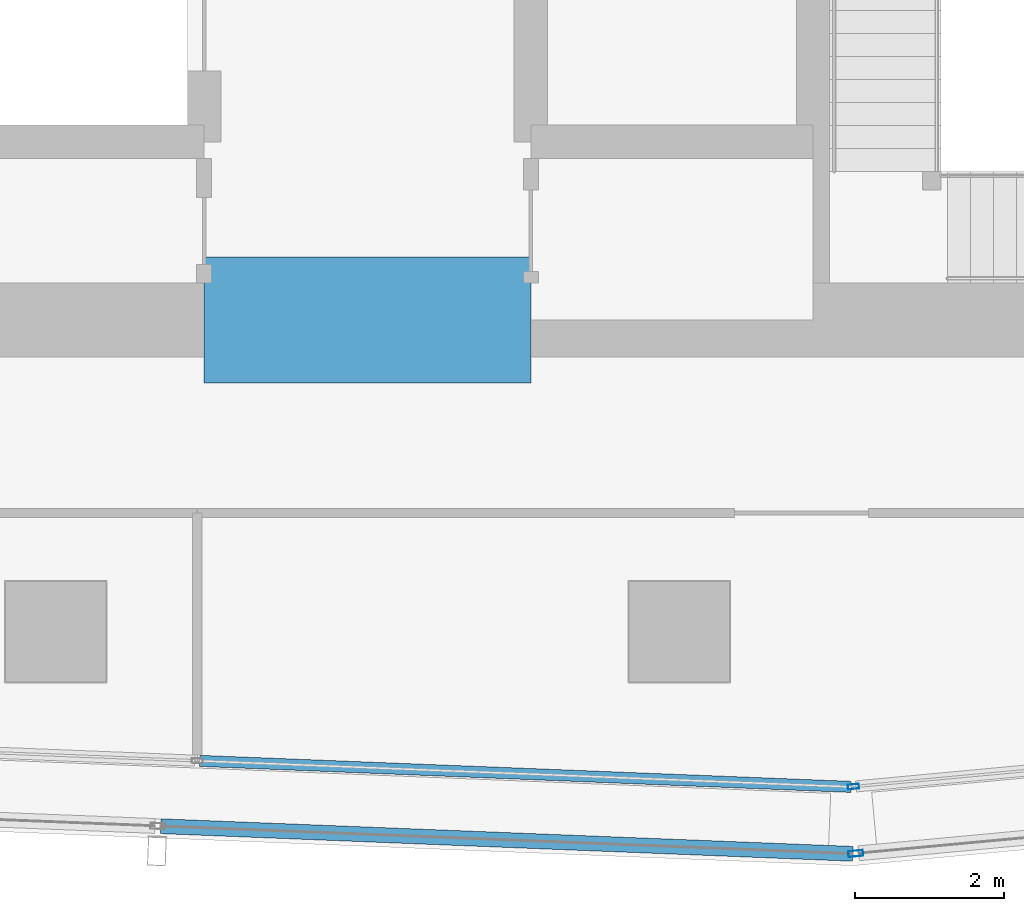
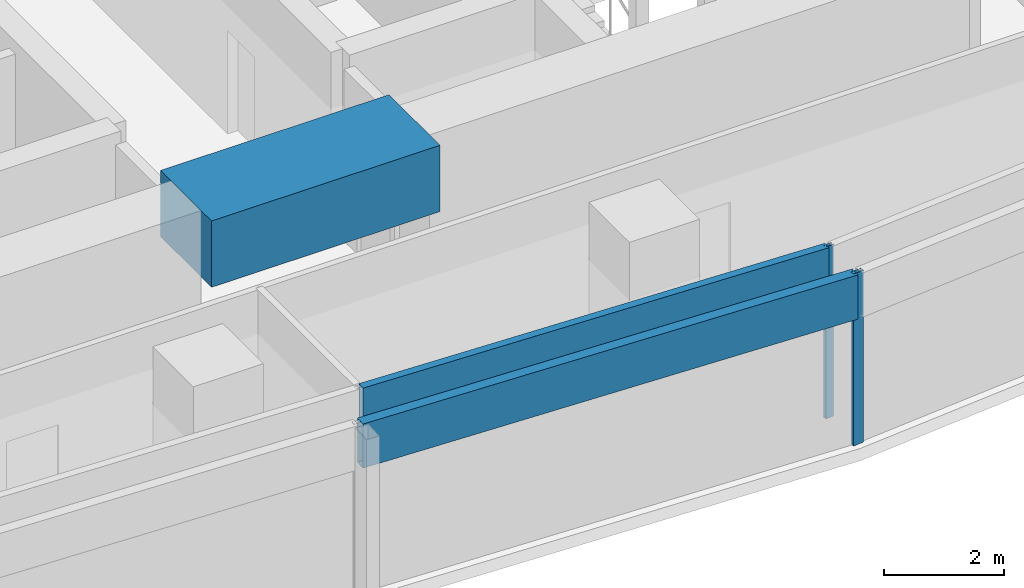
# One storey, part 10 of 39: 4 members, 1 beam, 4 elements without a shape of their own.
"""IFC4 building model written with IfcOpenShell, lengths in metres."""

from ifc_helpers import new_model, si_unit, direction, frame, origin, origin_2d, place, context, subcontext, project, spatial, rectangle, hollow_rectangle, extrude, material, material_profile, profile_set, type_object, element, aggregate, save


model = new_model("IFC4")

# Units and contexts
model_context = context("Model", 3, precision=1e-05, world=origin(), true_north=direction((0.0, 1.0)))
body_context = subcontext(model_context, "Body", "Model", "MODEL_VIEW")
ifc_project = project(units=[si_unit("LENGTHUNIT", "METRE"), si_unit("AREAUNIT", "SQUARE_METRE"), si_unit("VOLUMEUNIT", "CUBIC_METRE"), si_unit("PLANEANGLEUNIT", "RADIAN"), si_unit("MASSUNIT", "GRAM", prefix="KILO")], contexts=[model_context])

# Site, building, storey
site_placement = place(None, origin())
site = spatial("IfcSite", under=ifc_project, at=site_placement, CompositionType="ELEMENT")
building_placement = place(site_placement, origin())
building = spatial("IfcBuilding", under=site, at=building_placement, Name="Rekha Terrace Tower", CompositionType="ELEMENT")
storey_placement = place(building_placement, frame((0.0, 0.0, 225.199951171875)))
storey = spatial("IfcBuildingStorey", under=building, at=storey_placement, Name="L57", CompositionType="ELEMENT", Elevation=225.199951171875)

# Curtain wall, member
ifc_material_1 = material(Name="Aluminium framing", Category="aluminium")
curtain_wall_type_1 = type_object("IfcCurtainWallType", Name="CW1 double skin inner glazing", PredefinedType="USERDEFINED", material=ifc_material_1)
curtain_wall_1_placement = place(storey_placement, origin())
curtain_wall_1 = element("IfcCurtainWall", 1, at=curtain_wall_1_placement, inside=storey, type_object=curtain_wall_type_1, Name="CW1 double skin inner glazing", ObjectType="DOUBLE SKIN INNER GLAZING", PredefinedType="USERDEFINED")
ifc_material_2 = material(Name="Aluminium mullion section", Category="aluminium")
ifc_material_profile_1 = material_profile(ifc_material_2, hollow_rectangle(XDim=0.06494140625, YDim=0.14990234375, WallThickness=0.00390625, at=origin_2d()), Name="AL RHS 65x150")
ifc_profile_set_1 = profile_set([ifc_material_profile_1], Name="Aluminium mullion section")
member_type_1 = type_object("IfcMemberType", Name="CW1 mullion RHS 65 x 150", PredefinedType="MULLION", material=ifc_profile_set_1)
member_1_placement = place(storey_placement, frame((44.34423828125, 14.715087890625, 0.0), z_axis=(0.0, 0.0, 1.0), x_axis=(-0.092708869564, 0.995693258742, 0.0)))
member_1 = element("IfcMember", 2, at=member_1_placement, type_object=member_type_1, Name="CW1 mullion 1", PredefinedType="MULLION", context=body_context, shape_type="SweptSolid", body=[
    extrude(hollow_rectangle(XDim=0.06494140625, YDim=0.14990234375, WallThickness=0.00390625, at=origin_2d()), origin(), (0.0, 0.0, 1.0), 3.5),
])
aggregate(curtain_wall_1, [member_1])

curtain_wall_2_placement = place(storey_placement, origin())
curtain_wall_2 = element("IfcCurtainWall", 3, at=curtain_wall_2_placement, inside=storey, type_object=curtain_wall_type_1, Name="CW1 double skin inner glazing", ObjectType="DOUBLE SKIN INNER GLAZING", PredefinedType="USERDEFINED")
ifc_material_3 = material(Name="Insulated aluminium spandrel box", Category="aluminium")
ifc_material_profile_2 = material_profile(ifc_material_3, hollow_rectangle(XDim=0.14990234375, YDim=0.89990234375, WallThickness=0.0029296875, at=origin_2d()), Name="AL SPANDREL BOX 150x900")
ifc_profile_set_2 = profile_set([ifc_material_profile_2], Name="Insulated aluminium spandrel box")
member_type_2 = type_object("IfcMemberType", Name="CW1 spandrel transom 150 x 900", PredefinedType="USERDEFINED", material=ifc_profile_set_2)
member_2_placement = place(storey_placement, frame((35.5400390625, 15.06201171875, 3.050048828125), z_axis=(0.999204464505, -0.039880297311, 0.0), x_axis=(0.039880297311, 0.999204464505, 0.0)))
member_2 = element("IfcMember", 4, at=member_2_placement, type_object=member_type_2, Name="CW1 spandrel transom 4", ObjectType="TRANSOM", PredefinedType="USERDEFINED", context=body_context, shape_type="SweptSolid", body=[
    extrude(hollow_rectangle(XDim=0.14990234375, YDim=0.89990234375, WallThickness=0.0029296875, at=origin_2d()), origin(), (0.0, 0.0, 1.0), 8.77880859375),
])
aggregate(curtain_wall_2, [member_2])

curtain_wall_type_2 = type_object("IfcCurtainWallType", Name="CW2 double skin outer glazing", PredefinedType="USERDEFINED", material=ifc_material_1)
curtain_wall_3_placement = place(storey_placement, origin())
curtain_wall_3 = element("IfcCurtainWall", 5, at=curtain_wall_3_placement, inside=storey, type_object=curtain_wall_type_2, Name="CW2 double skin outer glazing", ObjectType="DOUBLE SKIN OUTER GLAZING", PredefinedType="USERDEFINED")
ifc_material_profile_3 = material_profile(ifc_material_2, hollow_rectangle(XDim=0.080078125, YDim=0.199951171875, WallThickness=0.00390625, at=origin_2d()), Name="AL RHS 80x200")
ifc_profile_set_3 = profile_set([ifc_material_profile_3], Name="Aluminium mullion section")
member_type_3 = type_object("IfcMemberType", Name="CW2 mullion RHS 80 x 200", PredefinedType="MULLION", material=ifc_profile_set_3)
member_3_placement = place(storey_placement, frame((44.37548828125, 13.81396484375, 0.0), z_axis=(0.0, 0.0, 1.0), x_axis=(-0.092708869512, 0.995693258747, 0.0)))
member_3 = element("IfcMember", 6, at=member_3_placement, type_object=member_type_3, Name="CW2 mullion 1", PredefinedType="MULLION", context=body_context, shape_type="SweptSolid", body=[
    extrude(hollow_rectangle(XDim=0.080078125, YDim=0.199951171875, WallThickness=0.00390625, at=origin_2d()), origin(), (0.0, 0.0, 1.0), 3.5),
])
aggregate(curtain_wall_3, [member_3])

curtain_wall_4_placement = place(storey_placement, origin())
curtain_wall_4 = element("IfcCurtainWall", 7, at=curtain_wall_4_placement, inside=storey, type_object=curtain_wall_type_2, Name="CW2 double skin outer glazing", ObjectType="DOUBLE SKIN OUTER GLAZING", PredefinedType="USERDEFINED")
ifc_material_profile_4 = material_profile(ifc_material_3, hollow_rectangle(XDim=0.199951171875, YDim=0.89990234375, WallThickness=0.0029296875, at=origin_2d()), Name="AL SPANDREL BOX 200x900")
ifc_profile_set_4 = profile_set([ifc_material_profile_4], Name="Insulated aluminium spandrel box")
member_type_4 = type_object("IfcMemberType", Name="CW2 spandrel transom 200 x 900", PredefinedType="USERDEFINED", material=ifc_profile_set_4)
member_4_placement = place(storey_placement, frame((35.01708984375, 14.18212890625, 3.050048828125), z_axis=(0.999204884837, -0.039869764458, 0.0), x_axis=(0.039869764458, 0.999204884837, 0.0)))
member_4 = element("IfcMember", 8, at=member_4_placement, type_object=member_type_4, Name="CW2 spandrel transom 4", ObjectType="TRANSOM", PredefinedType="USERDEFINED", context=body_context, shape_type="SweptSolid", body=[
    extrude(hollow_rectangle(XDim=0.199951171875, YDim=0.89990234375, WallThickness=0.0029296875, at=origin_2d()), origin(), (0.0, 0.0, 1.0), 9.325927734375),
])
aggregate(curtain_wall_4, [member_4])

# Beam
ifc_material_4 = material(Name="Concrete M60", Category="concrete")
ifc_material_profile_5 = material_profile(ifc_material_4, rectangle(XDim=1.699951171875, YDim=1.35009765625, at=origin_2d()), Name="RC 1700x1350")
ifc_profile_set_5 = profile_set([ifc_material_profile_5], Name="Concrete M60")
beam_type = type_object("IfcBeamType", Name="LB3A 1700x1350 diagonally reinforced coupling beam", PredefinedType="LINTEL", material=ifc_profile_set_5)
beam_placement = place(storey_placement, frame((35.60009765625, 21.0, 3.074951171875), z_axis=(1.0, 0.0, 0.0), x_axis=(0.0, 1.0, 0.0)))
element("IfcBeam", 9, at=beam_placement, inside=storey, type_object=beam_type, Name="Coupling beam LB3A S L57", PredefinedType="LINTEL", context=body_context, shape_type="SweptSolid", body=[
    extrude(rectangle(XDim=1.699951171875, YDim=1.35009765625, at=origin_2d()), origin(), (0.0, 0.0, 1.0), 4.39990234375),
])

save(model, "model.ifc")
